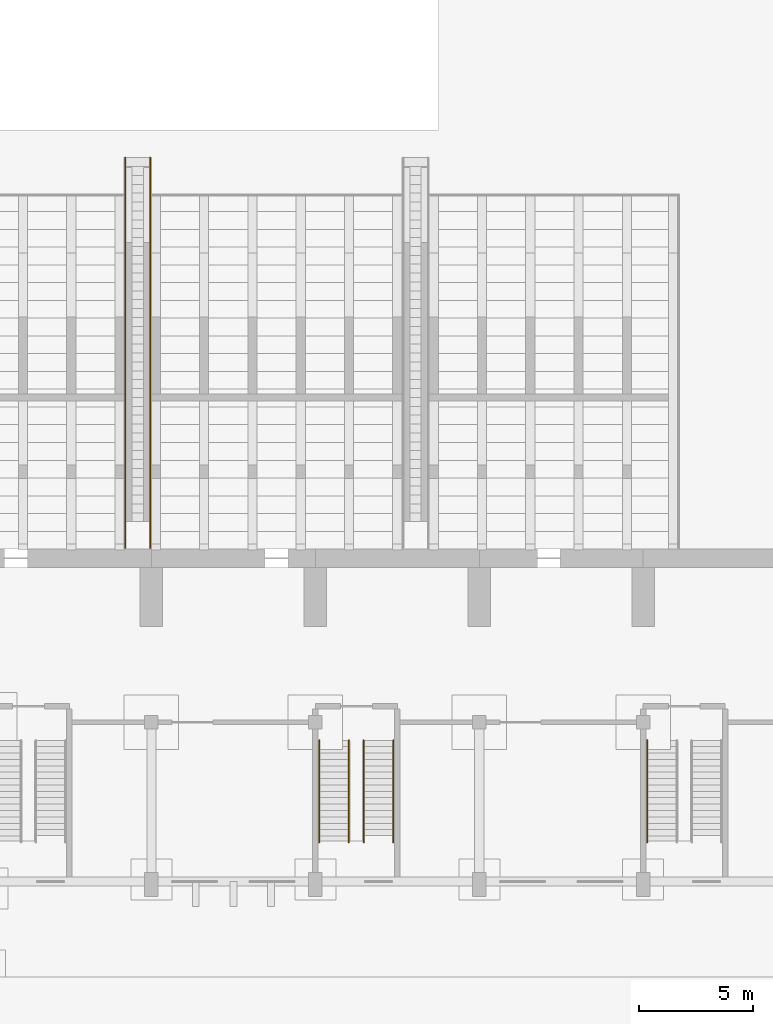
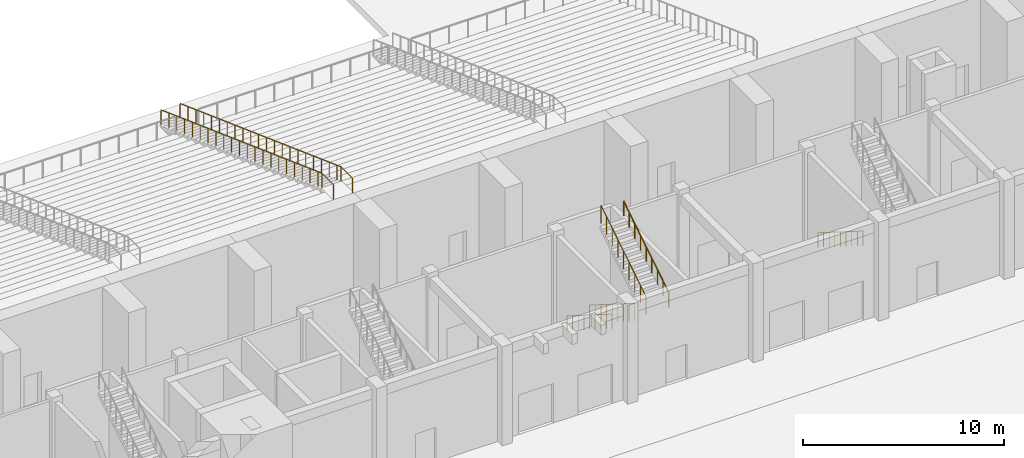
# One storey, part 62 of 70: 7 railings.
"""IFC4 building model written with IfcOpenShell, lengths in metres."""

from ifc_helpers import new_model, si_unit, direction, frame, origin, origin_2d, place, context, subcontext, project, spatial, circle, extrude, material, type_object, element, save


model = new_model("IFC4")

# Units and contexts
model_context = context("Model", 3, precision=1e-05, world=origin(), true_north=direction((0.0, 1.0)))
body_context = subcontext(model_context, "Body", "Model", "MODEL_VIEW")
ifc_project = project(units=[si_unit("LENGTHUNIT", "METRE"), si_unit("AREAUNIT", "SQUARE_METRE"), si_unit("VOLUMEUNIT", "CUBIC_METRE"), si_unit("PLANEANGLEUNIT", "RADIAN"), si_unit("MASSUNIT", "GRAM", prefix="KILO")], contexts=[model_context])

# Site, building, storey
site_placement = place(None, origin())
site = spatial("IfcSite", under=ifc_project, at=site_placement, CompositionType="ELEMENT")
building_placement = place(site_placement, origin())
building = spatial("IfcBuilding", under=site, at=building_placement, Name="Vermilion Court Aquatics Centre", CompositionType="ELEMENT")
storey_placement = place(building_placement, origin())
storey = spatial("IfcBuildingStorey", under=building, at=storey_placement, Name="L00", CompositionType="ELEMENT", Elevation=0.0)

# Railings
ifc_material_1 = material(Name="Steel ASTM A992 Grade 50", Category="steel")
railing_type_1 = type_object("IfcRailingType", Name="South stair guard 1100", PredefinedType="GUARDRAIL", material=ifc_material_1)
railing_1_placement = place(storey_placement, frame((95.074951171875, 6.39990234375, 0.176513671875)))
element("IfcRailing", 1, at=railing_1_placement, inside=storey, type_object=railing_type_1, Name="Stair guard S5.1E", PredefinedType="GUARDRAIL", context=body_context, shape_type="SweptSolid", body=[
    extrude(circle(Radius=0.02392578125, at=origin_2d()), frame((0.0, 0.0, 1.076171875), z_axis=(0.0, -0.846023287082, 0.533145944105), x_axis=(1.0, 0.0, 0.0)), (0.0, 0.0, 1.0), 0.66162109375),
    extrude(circle(Radius=0.02392578125, at=origin_2d()), frame((0.0, -0.559814453125, 1.4287109375), z_axis=(0.0, -0.845961766943, 0.533243554926), x_axis=(1.0, 0.0, 0.0)), (0.0, 0.0, 1.0), 0.662109375),
    extrude(circle(Radius=0.02392578125, at=origin_2d()), frame((0.0, -1.119873046875, 1.78173828125), z_axis=(0.0, -0.845961766943, 0.533243554926), x_axis=(1.0, 0.0, 0.0)), (0.0, 0.0, 1.0), 0.662109375),
    extrude(circle(Radius=0.02392578125, at=origin_2d()), frame((0.0, -1.679931640625, 2.134765625), z_axis=(0.0, -0.846128112635, 0.532979565282), x_axis=(1.0, 0.0, 0.0)), (0.0, 0.0, 1.0), 0.661865234375),
    extrude(circle(Radius=0.02392578125, at=origin_2d()), frame((0.0, -2.239990234375, 2.48779296875), z_axis=(0.0, -0.84585685817, 0.533409950682), x_axis=(1.0, 0.0, 0.0)), (0.0, 0.0, 1.0), 0.661865234375),
    extrude(circle(Radius=0.02392578125, at=origin_2d()), frame((0.0, -2.7998046875, 2.8408203125), z_axis=(0.0, -0.845961766943, 0.533243554926), x_axis=(1.0, 0.0, 0.0)), (0.0, 0.0, 1.0), 0.662109375),
    extrude(circle(Radius=0.02392578125, at=origin_2d()), frame((0.0, -3.35986328125, 3.19384765625), z_axis=(0.0, -0.846128112635, 0.532979565282), x_axis=(1.0, 0.0, 0.0)), (0.0, 0.0, 1.0), 0.661865234375),
    extrude(circle(Radius=0.02392578125, at=origin_2d()), frame((0.0, -3.919921875, 3.54638671875), z_axis=(0.0, -0.845961766943, 0.533243554926), x_axis=(1.0, 0.0, 0.0)), (0.0, 0.0, 1.0), 0.662109375),
    extrude(circle(Radius=0.02099609375, at=origin_2d()), origin(), (0.0, 0.0, 1.0), 1.052001953125),
    extrude(circle(Radius=0.02099609375, at=origin_2d()), frame((0.0, -0.559814453125, 0.352783203125)), (0.0, 0.0, 1.0), 1.052001953125),
    extrude(circle(Radius=0.02099609375, at=origin_2d()), frame((0.0, -1.119873046875, 0.705810546875)), (0.0, 0.0, 1.0), 1.052001953125),
    extrude(circle(Radius=0.02099609375, at=origin_2d()), frame((0.0, -1.679931640625, 1.058837890625)), (0.0, 0.0, 1.0), 1.052001953125),
    extrude(circle(Radius=0.02099609375, at=origin_2d()), frame((0.0, -2.239990234375, 1.41162109375)), (0.0, 0.0, 1.0), 1.052001953125),
    extrude(circle(Radius=0.02099609375, at=origin_2d()), frame((0.0, -2.7998046875, 1.7646484375)), (0.0, 0.0, 1.0), 1.052001953125),
    extrude(circle(Radius=0.02099609375, at=origin_2d()), frame((0.0, -3.35986328125, 2.11767578125)), (0.0, 0.0, 1.0), 1.052001953125),
    extrude(circle(Radius=0.02099609375, at=origin_2d()), frame((0.0, -3.919921875, 2.470458984375)), (0.0, 0.0, 1.0), 1.052001953125),
    extrude(circle(Radius=0.02099609375, at=origin_2d()), frame((0.0, -4.47998046875, 2.823486328125)), (0.0, 0.0, 1.0), 1.052001953125),
])
railing_2_placement = place(storey_placement, frame((95.72509765625, 1.919921875, 3.176513671875)))
element("IfcRailing", 2, at=railing_2_placement, inside=storey, type_object=railing_type_1, Name="Stair guard S5.2W", PredefinedType="GUARDRAIL", context=body_context, shape_type="SweptSolid", body=[
    extrude(circle(Radius=0.02392578125, at=origin_2d()), frame((0.0, 0.0, 1.076171875), z_axis=(0.0, 0.846128112635, 0.532979565282), x_axis=(-1.0, 0.0, 0.0)), (0.0, 0.0, 1.0), 0.661865234375),
    extrude(circle(Radius=0.02392578125, at=origin_2d()), frame((0.0, 0.56005859375, 1.4287109375), z_axis=(0.0, 0.845961766943, 0.533243554926), x_axis=(-1.0, 0.0, 0.0)), (0.0, 0.0, 1.0), 0.662109375),
    extrude(circle(Radius=0.02392578125, at=origin_2d()), frame((0.0, 1.1201171875, 1.78173828125), z_axis=(0.0, 0.845961766943, 0.533243554926), x_axis=(-1.0, 0.0, 0.0)), (0.0, 0.0, 1.0), 0.662109375),
    extrude(circle(Radius=0.02392578125, at=origin_2d()), frame((0.0, 1.68017578125, 2.134765625), z_axis=(0.0, 0.846023287082, 0.533145944105), x_axis=(-1.0, 0.0, 0.0)), (0.0, 0.0, 1.0), 0.66162109375),
    extrude(circle(Radius=0.02392578125, at=origin_2d()), frame((0.0, 2.239990234375, 2.48779296875), z_axis=(0.0, 0.845961766943, 0.533243554926), x_axis=(-1.0, 0.0, 0.0)), (0.0, 0.0, 1.0), 0.662109375),
    extrude(circle(Radius=0.02392578125, at=origin_2d()), frame((0.0, 2.800048828125, 2.8408203125), z_axis=(0.0, 0.845961766943, 0.533243554926), x_axis=(-1.0, 0.0, 0.0)), (0.0, 0.0, 1.0), 0.662109375),
    extrude(circle(Radius=0.02392578125, at=origin_2d()), frame((0.0, 3.360107421875, 3.19384765625), z_axis=(0.0, 0.846128112635, 0.532979565282), x_axis=(-1.0, 0.0, 0.0)), (0.0, 0.0, 1.0), 0.661865234375),
    extrude(circle(Radius=0.02392578125, at=origin_2d()), frame((0.0, 3.920166015625, 3.54638671875), z_axis=(0.0, 0.84585685817, 0.533409950682), x_axis=(-1.0, 0.0, 0.0)), (0.0, 0.0, 1.0), 0.661865234375),
    extrude(circle(Radius=0.02099609375, at=origin_2d()), origin(), (0.0, 0.0, 1.0), 1.052001953125),
    extrude(circle(Radius=0.02099609375, at=origin_2d()), frame((0.0, 0.56005859375, 0.352783203125)), (0.0, 0.0, 1.0), 1.052001953125),
    extrude(circle(Radius=0.02099609375, at=origin_2d()), frame((0.0, 1.1201171875, 0.705810546875)), (0.0, 0.0, 1.0), 1.052001953125),
    extrude(circle(Radius=0.02099609375, at=origin_2d()), frame((0.0, 1.68017578125, 1.058837890625)), (0.0, 0.0, 1.0), 1.052001953125),
    extrude(circle(Radius=0.02099609375, at=origin_2d()), frame((0.0, 2.239990234375, 1.41162109375)), (0.0, 0.0, 1.0), 1.052001953125),
    extrude(circle(Radius=0.02099609375, at=origin_2d()), frame((0.0, 2.800048828125, 1.7646484375)), (0.0, 0.0, 1.0), 1.052001953125),
    extrude(circle(Radius=0.02099609375, at=origin_2d()), frame((0.0, 3.360107421875, 2.11767578125)), (0.0, 0.0, 1.0), 1.052001953125),
    extrude(circle(Radius=0.02099609375, at=origin_2d()), frame((0.0, 3.920166015625, 2.470458984375)), (0.0, 0.0, 1.0), 1.052001953125),
    extrude(circle(Radius=0.02099609375, at=origin_2d()), frame((0.0, 4.47998046875, 2.823486328125)), (0.0, 0.0, 1.0), 1.052001953125),
])
ifc_material_2 = material(Name="Steel ASTM A992 Grade 50", Category="steel")
railing_type_2 = type_object("IfcRailingType", Name="South stair handrail 900", PredefinedType="HANDRAIL", material=ifc_material_2)
railing_3_placement = place(storey_placement, frame((93.77490234375, 6.39990234375, 0.176513671875)))
element("IfcRailing", 3, at=railing_3_placement, inside=storey, type_object=railing_type_2, Name="Stair handrail S5.1W", PredefinedType="HANDRAIL", context=body_context, shape_type="SweptSolid", body=[
    extrude(circle(Radius=0.02392578125, at=origin_2d()), frame((0.0, 0.0, 0.8759765625), z_axis=(0.0, -0.846023287082, 0.533145944105), x_axis=(1.0, 0.0, 0.0)), (0.0, 0.0, 1.0), 0.66162109375),
    extrude(circle(Radius=0.02392578125, at=origin_2d()), frame((0.0, -0.559814453125, 1.228515625), z_axis=(0.0, -0.845961766943, 0.533243554926), x_axis=(1.0, 0.0, 0.0)), (0.0, 0.0, 1.0), 0.662109375),
    extrude(circle(Radius=0.02392578125, at=origin_2d()), frame((0.0, -1.119873046875, 1.58154296875), z_axis=(0.0, -0.845961766943, 0.533243554926), x_axis=(1.0, 0.0, 0.0)), (0.0, 0.0, 1.0), 0.662109375),
    extrude(circle(Radius=0.02392578125, at=origin_2d()), frame((0.0, -1.679931640625, 1.9345703125), z_axis=(0.0, -0.846128112635, 0.532979565282), x_axis=(1.0, 0.0, 0.0)), (0.0, 0.0, 1.0), 0.661865234375),
    extrude(circle(Radius=0.02392578125, at=origin_2d()), frame((0.0, -2.239990234375, 2.28759765625), z_axis=(0.0, -0.84585685817, 0.533409950682), x_axis=(1.0, 0.0, 0.0)), (0.0, 0.0, 1.0), 0.661865234375),
    extrude(circle(Radius=0.02392578125, at=origin_2d()), frame((0.0, -2.7998046875, 2.640625), z_axis=(0.0, -0.845961766943, 0.533243554926), x_axis=(1.0, 0.0, 0.0)), (0.0, 0.0, 1.0), 0.662109375),
    extrude(circle(Radius=0.02392578125, at=origin_2d()), frame((0.0, -3.35986328125, 2.99365234375), z_axis=(0.0, -0.846128112635, 0.532979565282), x_axis=(1.0, 0.0, 0.0)), (0.0, 0.0, 1.0), 0.661865234375),
    extrude(circle(Radius=0.02392578125, at=origin_2d()), frame((0.0, -3.919921875, 3.34619140625), z_axis=(0.0, -0.845961766943, 0.533243554926), x_axis=(1.0, 0.0, 0.0)), (0.0, 0.0, 1.0), 0.662109375),
    extrude(circle(Radius=0.02099609375, at=origin_2d()), origin(), (0.0, 0.0, 1.0), 0.851806640625),
    extrude(circle(Radius=0.02099609375, at=origin_2d()), frame((0.0, -0.559814453125, 0.352783203125)), (0.0, 0.0, 1.0), 0.851806640625),
    extrude(circle(Radius=0.02099609375, at=origin_2d()), frame((0.0, -1.119873046875, 0.705810546875)), (0.0, 0.0, 1.0), 0.851806640625),
    extrude(circle(Radius=0.02099609375, at=origin_2d()), frame((0.0, -1.679931640625, 1.058837890625)), (0.0, 0.0, 1.0), 0.851806640625),
    extrude(circle(Radius=0.02099609375, at=origin_2d()), frame((0.0, -2.239990234375, 1.41162109375)), (0.0, 0.0, 1.0), 0.851806640625),
    extrude(circle(Radius=0.02099609375, at=origin_2d()), frame((0.0, -2.7998046875, 1.7646484375)), (0.0, 0.0, 1.0), 0.851806640625),
    extrude(circle(Radius=0.02099609375, at=origin_2d()), frame((0.0, -3.35986328125, 2.11767578125)), (0.0, 0.0, 1.0), 0.851806640625),
    extrude(circle(Radius=0.02099609375, at=origin_2d()), frame((0.0, -3.919921875, 2.470458984375)), (0.0, 0.0, 1.0), 0.851806640625),
    extrude(circle(Radius=0.02099609375, at=origin_2d()), frame((0.0, -4.47998046875, 2.823486328125)), (0.0, 0.0, 1.0), 0.851806640625),
])
railing_4_placement = place(storey_placement, frame((97.02490234375, 1.919921875, 3.176513671875)))
element("IfcRailing", 4, at=railing_4_placement, inside=storey, type_object=railing_type_2, Name="Stair handrail S5.2E", PredefinedType="HANDRAIL", context=body_context, shape_type="SweptSolid", body=[
    extrude(circle(Radius=0.02392578125, at=origin_2d()), frame((0.0, 0.0, 0.8759765625), z_axis=(0.0, 0.846128112635, 0.532979565282), x_axis=(-1.0, 0.0, 0.0)), (0.0, 0.0, 1.0), 0.661865234375),
    extrude(circle(Radius=0.02392578125, at=origin_2d()), frame((0.0, 0.56005859375, 1.228515625), z_axis=(0.0, 0.845961766943, 0.533243554926), x_axis=(-1.0, 0.0, 0.0)), (0.0, 0.0, 1.0), 0.662109375),
    extrude(circle(Radius=0.02392578125, at=origin_2d()), frame((0.0, 1.1201171875, 1.58154296875), z_axis=(0.0, 0.845961766943, 0.533243554926), x_axis=(-1.0, 0.0, 0.0)), (0.0, 0.0, 1.0), 0.662109375),
    extrude(circle(Radius=0.02392578125, at=origin_2d()), frame((0.0, 1.68017578125, 1.9345703125), z_axis=(0.0, 0.846023287082, 0.533145944105), x_axis=(-1.0, 0.0, 0.0)), (0.0, 0.0, 1.0), 0.66162109375),
    extrude(circle(Radius=0.02392578125, at=origin_2d()), frame((0.0, 2.239990234375, 2.28759765625), z_axis=(0.0, 0.845961766943, 0.533243554926), x_axis=(-1.0, 0.0, 0.0)), (0.0, 0.0, 1.0), 0.662109375),
    extrude(circle(Radius=0.02392578125, at=origin_2d()), frame((0.0, 2.800048828125, 2.640625), z_axis=(0.0, 0.845961766943, 0.533243554926), x_axis=(-1.0, 0.0, 0.0)), (0.0, 0.0, 1.0), 0.662109375),
    extrude(circle(Radius=0.02392578125, at=origin_2d()), frame((0.0, 3.360107421875, 2.99365234375), z_axis=(0.0, 0.846128112635, 0.532979565282), x_axis=(-1.0, 0.0, 0.0)), (0.0, 0.0, 1.0), 0.661865234375),
    extrude(circle(Radius=0.02392578125, at=origin_2d()), frame((0.0, 3.920166015625, 3.34619140625), z_axis=(0.0, 0.84585685817, 0.533409950682), x_axis=(-1.0, 0.0, 0.0)), (0.0, 0.0, 1.0), 0.661865234375),
    extrude(circle(Radius=0.02099609375, at=origin_2d()), origin(), (0.0, 0.0, 1.0), 0.851806640625),
    extrude(circle(Radius=0.02099609375, at=origin_2d()), frame((0.0, 0.56005859375, 0.352783203125)), (0.0, 0.0, 1.0), 0.851806640625),
    extrude(circle(Radius=0.02099609375, at=origin_2d()), frame((0.0, 1.1201171875, 0.705810546875)), (0.0, 0.0, 1.0), 0.851806640625),
    extrude(circle(Radius=0.02099609375, at=origin_2d()), frame((0.0, 1.68017578125, 1.058837890625)), (0.0, 0.0, 1.0), 0.851806640625),
    extrude(circle(Radius=0.02099609375, at=origin_2d()), frame((0.0, 2.239990234375, 1.41162109375)), (0.0, 0.0, 1.0), 0.851806640625),
    extrude(circle(Radius=0.02099609375, at=origin_2d()), frame((0.0, 2.800048828125, 1.7646484375)), (0.0, 0.0, 1.0), 0.851806640625),
    extrude(circle(Radius=0.02099609375, at=origin_2d()), frame((0.0, 3.360107421875, 2.11767578125)), (0.0, 0.0, 1.0), 0.851806640625),
    extrude(circle(Radius=0.02099609375, at=origin_2d()), frame((0.0, 3.920166015625, 2.470458984375)), (0.0, 0.0, 1.0), 0.851806640625),
    extrude(circle(Radius=0.02099609375, at=origin_2d()), frame((0.0, 4.47998046875, 2.823486328125)), (0.0, 0.0, 1.0), 0.851806640625),
])
railing_5_placement = place(storey_placement, frame((108.175048828125, 6.39990234375, 0.176513671875)))
element("IfcRailing", 5, at=railing_5_placement, inside=storey, type_object=railing_type_2, Name="Stair handrail S6.1W", PredefinedType="HANDRAIL", context=body_context, shape_type="SweptSolid", body=[
    extrude(circle(Radius=0.02392578125, at=origin_2d()), frame((0.0, 0.0, 0.8759765625), z_axis=(0.0, -0.846023287082, 0.533145944105), x_axis=(1.0, 0.0, 0.0)), (0.0, 0.0, 1.0), 0.66162109375),
    extrude(circle(Radius=0.02392578125, at=origin_2d()), frame((0.0, -0.559814453125, 1.228515625), z_axis=(0.0, -0.845961766943, 0.533243554926), x_axis=(1.0, 0.0, 0.0)), (0.0, 0.0, 1.0), 0.662109375),
    extrude(circle(Radius=0.02392578125, at=origin_2d()), frame((0.0, -1.119873046875, 1.58154296875), z_axis=(0.0, -0.845961766943, 0.533243554926), x_axis=(1.0, 0.0, 0.0)), (0.0, 0.0, 1.0), 0.662109375),
    extrude(circle(Radius=0.02392578125, at=origin_2d()), frame((0.0, -1.679931640625, 1.9345703125), z_axis=(0.0, -0.846128112635, 0.532979565282), x_axis=(1.0, 0.0, 0.0)), (0.0, 0.0, 1.0), 0.661865234375),
    extrude(circle(Radius=0.02392578125, at=origin_2d()), frame((0.0, -2.239990234375, 2.28759765625), z_axis=(0.0, -0.84585685817, 0.533409950682), x_axis=(1.0, 0.0, 0.0)), (0.0, 0.0, 1.0), 0.661865234375),
    extrude(circle(Radius=0.02392578125, at=origin_2d()), frame((0.0, -2.7998046875, 2.640625), z_axis=(0.0, -0.845961766943, 0.533243554926), x_axis=(1.0, 0.0, 0.0)), (0.0, 0.0, 1.0), 0.662109375),
    extrude(circle(Radius=0.02392578125, at=origin_2d()), frame((0.0, -3.35986328125, 2.99365234375), z_axis=(0.0, -0.846128112635, 0.532979565282), x_axis=(1.0, 0.0, 0.0)), (0.0, 0.0, 1.0), 0.661865234375),
    extrude(circle(Radius=0.02392578125, at=origin_2d()), frame((0.0, -3.919921875, 3.34619140625), z_axis=(0.0, -0.845961766943, 0.533243554926), x_axis=(1.0, 0.0, 0.0)), (0.0, 0.0, 1.0), 0.662109375),
    extrude(circle(Radius=0.02099609375, at=origin_2d()), origin(), (0.0, 0.0, 1.0), 0.851806640625),
    extrude(circle(Radius=0.02099609375, at=origin_2d()), frame((0.0, -0.559814453125, 0.352783203125)), (0.0, 0.0, 1.0), 0.851806640625),
    extrude(circle(Radius=0.02099609375, at=origin_2d()), frame((0.0, -1.119873046875, 0.705810546875)), (0.0, 0.0, 1.0), 0.851806640625),
    extrude(circle(Radius=0.02099609375, at=origin_2d()), frame((0.0, -1.679931640625, 1.058837890625)), (0.0, 0.0, 1.0), 0.851806640625),
    extrude(circle(Radius=0.02099609375, at=origin_2d()), frame((0.0, -2.239990234375, 1.41162109375)), (0.0, 0.0, 1.0), 0.851806640625),
    extrude(circle(Radius=0.02099609375, at=origin_2d()), frame((0.0, -2.7998046875, 1.7646484375)), (0.0, 0.0, 1.0), 0.851806640625),
    extrude(circle(Radius=0.02099609375, at=origin_2d()), frame((0.0, -3.35986328125, 2.11767578125)), (0.0, 0.0, 1.0), 0.851806640625),
    extrude(circle(Radius=0.02099609375, at=origin_2d()), frame((0.0, -3.919921875, 2.470458984375)), (0.0, 0.0, 1.0), 0.851806640625),
    extrude(circle(Radius=0.02099609375, at=origin_2d()), frame((0.0, -4.47998046875, 2.823486328125)), (0.0, 0.0, 1.0), 0.851806640625),
])
ifc_material_3 = material(Name="Steel ASTM A992 Grade 50", Category="steel")
railing_type_3 = type_object("IfcRailingType", Name="Tribune aisle stair handrail 900", PredefinedType="HANDRAIL", material=ifc_material_3)
railing_6_placement = place(storey_placement, frame((85.25, 31.989990234375, 0.142822265625)))
element("IfcRailing", 6, at=railing_6_placement, inside=storey, type_object=railing_type_3, Name="Aisle stair handrail 4W", PredefinedType="HANDRAIL", context=body_context, shape_type="SweptSolid", body=[
    extrude(circle(Radius=0.02392578125, at=origin_2d()), frame((0.0, 0.0, 0.8759765625), z_axis=(0.0, -0.939018724958, 0.343866011956), x_axis=(1.0, 0.0, 0.0)), (0.0, 0.0, 1.0), 0.83056640625),
    extrude(circle(Radius=0.02392578125, at=origin_2d()), frame((0.0, -0.780029296875, 1.16162109375), z_axis=(0.0, -0.938923798649, 0.344125123073), x_axis=(1.0, 0.0, 0.0)), (0.0, 0.0, 1.0), 0.830810546875),
    extrude(circle(Radius=0.02392578125, at=origin_2d()), frame((0.0, -1.56005859375, 1.447265625), z_axis=(0.0, -0.939018724958, 0.343866011956), x_axis=(1.0, 0.0, 0.0)), (0.0, 0.0, 1.0), 0.83056640625),
    extrude(circle(Radius=0.02392578125, at=origin_2d()), frame((0.0, -2.340087890625, 1.73291015625), z_axis=(0.0, -0.938983958399, 0.343960936546), x_axis=(1.0, 0.0, 0.0)), (0.0, 0.0, 1.0), 0.83056640625),
    extrude(circle(Radius=0.02392578125, at=origin_2d()), frame((0.0, -3.119873046875, 2.0185546875), z_axis=(0.0, -0.938923798649, 0.344125123073), x_axis=(1.0, 0.0, 0.0)), (0.0, 0.0, 1.0), 0.830810546875),
    extrude(circle(Radius=0.02392578125, at=origin_2d()), frame((0.0, -3.89990234375, 2.3046875), z_axis=(0.0, -0.939018724958, 0.343866011956), x_axis=(1.0, 0.0, 0.0)), (0.0, 0.0, 1.0), 0.83056640625),
    extrude(circle(Radius=0.02392578125, at=origin_2d()), frame((0.0, -4.679931640625, 2.59033203125), z_axis=(0.0, -0.939018724958, 0.343866011956), x_axis=(1.0, 0.0, 0.0)), (0.0, 0.0, 1.0), 0.83056640625),
    extrude(circle(Radius=0.02392578125, at=origin_2d()), frame((0.0, -5.4599609375, 2.8759765625), z_axis=(0.0, -0.939018724958, 0.343866011956), x_axis=(1.0, 0.0, 0.0)), (0.0, 0.0, 1.0), 0.83056640625),
    extrude(circle(Radius=0.02392578125, at=origin_2d()), frame((0.0, -6.239990234375, 3.16162109375), z_axis=(0.0, -0.938923798649, 0.344125123073), x_axis=(1.0, 0.0, 0.0)), (0.0, 0.0, 1.0), 0.830810546875),
    extrude(circle(Radius=0.02392578125, at=origin_2d()), frame((0.0, -7.02001953125, 3.447265625), z_axis=(0.0, -0.939018724958, 0.343866011956), x_axis=(1.0, 0.0, 0.0)), (0.0, 0.0, 1.0), 0.83056640625),
    extrude(circle(Radius=0.02392578125, at=origin_2d()), frame((0.0, -7.800048828125, 3.73291015625), z_axis=(0.0, -0.939018724958, 0.343866011956), x_axis=(1.0, 0.0, 0.0)), (0.0, 0.0, 1.0), 0.83056640625),
    extrude(circle(Radius=0.02392578125, at=origin_2d()), frame((0.0, -8.580078125, 4.0185546875), z_axis=(0.0, -0.938923798649, 0.344125123073), x_axis=(1.0, 0.0, 0.0)), (0.0, 0.0, 1.0), 0.830810546875),
    extrude(circle(Radius=0.02392578125, at=origin_2d()), frame((0.0, -9.360107421875, 4.3046875), z_axis=(0.0, -0.938983958399, 0.343960936546), x_axis=(1.0, 0.0, 0.0)), (0.0, 0.0, 1.0), 0.83056640625),
    extrude(circle(Radius=0.02392578125, at=origin_2d()), frame((0.0, -10.139892578125, 4.59033203125), z_axis=(0.0, -0.939018724958, 0.343866011956), x_axis=(1.0, 0.0, 0.0)), (0.0, 0.0, 1.0), 0.83056640625),
    extrude(circle(Radius=0.02392578125, at=origin_2d()), frame((0.0, -10.919921875, 4.8759765625), z_axis=(0.0, -0.939018724958, 0.343866011956), x_axis=(1.0, 0.0, 0.0)), (0.0, 0.0, 1.0), 0.83056640625),
    extrude(circle(Radius=0.02392578125, at=origin_2d()), frame((0.0, -11.699951171875, 5.16162109375), z_axis=(0.0, -0.938923798649, 0.344125123073), x_axis=(1.0, 0.0, 0.0)), (0.0, 0.0, 1.0), 0.830810546875),
    extrude(circle(Radius=0.02392578125, at=origin_2d()), frame((0.0, -12.47998046875, 5.447265625), z_axis=(0.0, -0.939018724958, 0.343866011956), x_axis=(1.0, 0.0, 0.0)), (0.0, 0.0, 1.0), 0.83056640625),
    extrude(circle(Radius=0.02392578125, at=origin_2d()), frame((0.0, -13.260009765625, 5.73291015625), z_axis=(0.0, -0.939018724958, 0.343866011956), x_axis=(1.0, 0.0, 0.0)), (0.0, 0.0, 1.0), 0.83056640625),
    extrude(circle(Radius=0.02392578125, at=origin_2d()), frame((0.0, -14.0400390625, 6.0185546875), z_axis=(0.0, -0.938923798649, 0.344125123073), x_axis=(1.0, 0.0, 0.0)), (0.0, 0.0, 1.0), 0.830810546875),
    extrude(circle(Radius=0.02392578125, at=origin_2d()), frame((0.0, -14.820068359375, 6.3046875), z_axis=(0.0, -0.939018724958, 0.343866011956), x_axis=(1.0, 0.0, 0.0)), (0.0, 0.0, 1.0), 0.83056640625),
    extrude(circle(Radius=0.02392578125, at=origin_2d()), frame((0.0, -15.60009765625, 6.59033203125), z_axis=(0.0, -0.938983958399, 0.343960936546), x_axis=(1.0, 0.0, 0.0)), (0.0, 0.0, 1.0), 0.415283203125),
    extrude(circle(Radius=0.02392578125, at=origin_2d()), frame((0.0, -15.989990234375, 6.73291015625), z_axis=(0.0, -1.0, 0.0), x_axis=(1.0, 0.0, 0.0)), (0.0, 0.0, 1.0), 1.14990234375),
    extrude(circle(Radius=0.02099609375, at=origin_2d()), origin(), (0.0, 0.0, 1.0), 0.851806640625),
    extrude(circle(Radius=0.02099609375, at=origin_2d()), frame((0.0, -0.780029296875, 0.28564453125)), (0.0, 0.0, 1.0), 0.851806640625),
    extrude(circle(Radius=0.02099609375, at=origin_2d()), frame((0.0, -1.56005859375, 0.571533203125)), (0.0, 0.0, 1.0), 0.851806640625),
    extrude(circle(Radius=0.02099609375, at=origin_2d()), frame((0.0, -2.340087890625, 0.857177734375)), (0.0, 0.0, 1.0), 0.851806640625),
    extrude(circle(Radius=0.02099609375, at=origin_2d()), frame((0.0, -3.119873046875, 1.142822265625)), (0.0, 0.0, 1.0), 0.851806640625),
    extrude(circle(Radius=0.02099609375, at=origin_2d()), frame((0.0, -3.89990234375, 1.4287109375)), (0.0, 0.0, 1.0), 0.851806640625),
    extrude(circle(Radius=0.02099609375, at=origin_2d()), frame((0.0, -4.679931640625, 1.71435546875)), (0.0, 0.0, 1.0), 0.851806640625),
    extrude(circle(Radius=0.02099609375, at=origin_2d()), frame((0.0, -5.4599609375, 2.0)), (0.0, 0.0, 1.0), 0.851806640625),
    extrude(circle(Radius=0.02099609375, at=origin_2d()), frame((0.0, -6.239990234375, 2.28564453125)), (0.0, 0.0, 1.0), 0.851806640625),
    extrude(circle(Radius=0.02099609375, at=origin_2d()), frame((0.0, -7.02001953125, 2.571533203125)), (0.0, 0.0, 1.0), 0.851806640625),
    extrude(circle(Radius=0.02099609375, at=origin_2d()), frame((0.0, -7.800048828125, 2.857177734375)), (0.0, 0.0, 1.0), 0.851806640625),
    extrude(circle(Radius=0.02099609375, at=origin_2d()), frame((0.0, -8.580078125, 3.142822265625)), (0.0, 0.0, 1.0), 0.851806640625),
    extrude(circle(Radius=0.02099609375, at=origin_2d()), frame((0.0, -9.360107421875, 3.4287109375)), (0.0, 0.0, 1.0), 0.851806640625),
    extrude(circle(Radius=0.02099609375, at=origin_2d()), frame((0.0, -10.139892578125, 3.71435546875)), (0.0, 0.0, 1.0), 0.851806640625),
    extrude(circle(Radius=0.02099609375, at=origin_2d()), frame((0.0, -10.919921875, 4.0)), (0.0, 0.0, 1.0), 0.851806640625),
    extrude(circle(Radius=0.02099609375, at=origin_2d()), frame((0.0, -11.699951171875, 4.28564453125)), (0.0, 0.0, 1.0), 0.851806640625),
    extrude(circle(Radius=0.02099609375, at=origin_2d()), frame((0.0, -12.47998046875, 4.571533203125)), (0.0, 0.0, 1.0), 0.851806640625),
    extrude(circle(Radius=0.02099609375, at=origin_2d()), frame((0.0, -13.260009765625, 4.857177734375)), (0.0, 0.0, 1.0), 0.851806640625),
    extrude(circle(Radius=0.02099609375, at=origin_2d()), frame((0.0, -14.0400390625, 5.142822265625)), (0.0, 0.0, 1.0), 0.851806640625),
    extrude(circle(Radius=0.02099609375, at=origin_2d()), frame((0.0, -14.820068359375, 5.4287109375)), (0.0, 0.0, 1.0), 0.851806640625),
    extrude(circle(Radius=0.02099609375, at=origin_2d()), frame((0.0, -15.60009765625, 5.71435546875)), (0.0, 0.0, 1.0), 0.851806640625),
    extrude(circle(Radius=0.02099609375, at=origin_2d()), frame((0.0, -15.989990234375, 5.857177734375)), (0.0, 0.0, 1.0), 0.851806640625),
    extrude(circle(Radius=0.02099609375, at=origin_2d()), frame((0.0, -17.139892578125, 5.857177734375)), (0.0, 0.0, 1.0), 0.851806640625),
])
railing_7_placement = place(storey_placement, frame((86.35009765625, 31.989990234375, 0.142822265625)))
element("IfcRailing", 7, at=railing_7_placement, inside=storey, type_object=railing_type_3, Name="Aisle stair handrail 4E", PredefinedType="HANDRAIL", context=body_context, shape_type="SweptSolid", body=[
    extrude(circle(Radius=0.02392578125, at=origin_2d()), frame((0.0, 0.0, 0.8759765625), z_axis=(0.0, -0.939018724958, 0.343866011956), x_axis=(1.0, 0.0, 0.0)), (0.0, 0.0, 1.0), 0.83056640625),
    extrude(circle(Radius=0.02392578125, at=origin_2d()), frame((0.0, -0.780029296875, 1.16162109375), z_axis=(0.0, -0.938923798649, 0.344125123073), x_axis=(1.0, 0.0, 0.0)), (0.0, 0.0, 1.0), 0.830810546875),
    extrude(circle(Radius=0.02392578125, at=origin_2d()), frame((0.0, -1.56005859375, 1.447265625), z_axis=(0.0, -0.939018724958, 0.343866011956), x_axis=(1.0, 0.0, 0.0)), (0.0, 0.0, 1.0), 0.83056640625),
    extrude(circle(Radius=0.02392578125, at=origin_2d()), frame((0.0, -2.340087890625, 1.73291015625), z_axis=(0.0, -0.938983958399, 0.343960936546), x_axis=(1.0, 0.0, 0.0)), (0.0, 0.0, 1.0), 0.83056640625),
    extrude(circle(Radius=0.02392578125, at=origin_2d()), frame((0.0, -3.119873046875, 2.0185546875), z_axis=(0.0, -0.938923798649, 0.344125123073), x_axis=(1.0, 0.0, 0.0)), (0.0, 0.0, 1.0), 0.830810546875),
    extrude(circle(Radius=0.02392578125, at=origin_2d()), frame((0.0, -3.89990234375, 2.3046875), z_axis=(0.0, -0.939018724958, 0.343866011956), x_axis=(1.0, 0.0, 0.0)), (0.0, 0.0, 1.0), 0.83056640625),
    extrude(circle(Radius=0.02392578125, at=origin_2d()), frame((0.0, -4.679931640625, 2.59033203125), z_axis=(0.0, -0.939018724958, 0.343866011956), x_axis=(1.0, 0.0, 0.0)), (0.0, 0.0, 1.0), 0.83056640625),
    extrude(circle(Radius=0.02392578125, at=origin_2d()), frame((0.0, -5.4599609375, 2.8759765625), z_axis=(0.0, -0.939018724958, 0.343866011956), x_axis=(1.0, 0.0, 0.0)), (0.0, 0.0, 1.0), 0.83056640625),
    extrude(circle(Radius=0.02392578125, at=origin_2d()), frame((0.0, -6.239990234375, 3.16162109375), z_axis=(0.0, -0.938923798649, 0.344125123073), x_axis=(1.0, 0.0, 0.0)), (0.0, 0.0, 1.0), 0.830810546875),
    extrude(circle(Radius=0.02392578125, at=origin_2d()), frame((0.0, -7.02001953125, 3.447265625), z_axis=(0.0, -0.939018724958, 0.343866011956), x_axis=(1.0, 0.0, 0.0)), (0.0, 0.0, 1.0), 0.83056640625),
    extrude(circle(Radius=0.02392578125, at=origin_2d()), frame((0.0, -7.800048828125, 3.73291015625), z_axis=(0.0, -0.939018724958, 0.343866011956), x_axis=(1.0, 0.0, 0.0)), (0.0, 0.0, 1.0), 0.83056640625),
    extrude(circle(Radius=0.02392578125, at=origin_2d()), frame((0.0, -8.580078125, 4.0185546875), z_axis=(0.0, -0.938923798649, 0.344125123073), x_axis=(1.0, 0.0, 0.0)), (0.0, 0.0, 1.0), 0.830810546875),
    extrude(circle(Radius=0.02392578125, at=origin_2d()), frame((0.0, -9.360107421875, 4.3046875), z_axis=(0.0, -0.938983958399, 0.343960936546), x_axis=(1.0, 0.0, 0.0)), (0.0, 0.0, 1.0), 0.83056640625),
    extrude(circle(Radius=0.02392578125, at=origin_2d()), frame((0.0, -10.139892578125, 4.59033203125), z_axis=(0.0, -0.939018724958, 0.343866011956), x_axis=(1.0, 0.0, 0.0)), (0.0, 0.0, 1.0), 0.83056640625),
    extrude(circle(Radius=0.02392578125, at=origin_2d()), frame((0.0, -10.919921875, 4.8759765625), z_axis=(0.0, -0.939018724958, 0.343866011956), x_axis=(1.0, 0.0, 0.0)), (0.0, 0.0, 1.0), 0.83056640625),
    extrude(circle(Radius=0.02392578125, at=origin_2d()), frame((0.0, -11.699951171875, 5.16162109375), z_axis=(0.0, -0.938923798649, 0.344125123073), x_axis=(1.0, 0.0, 0.0)), (0.0, 0.0, 1.0), 0.830810546875),
    extrude(circle(Radius=0.02392578125, at=origin_2d()), frame((0.0, -12.47998046875, 5.447265625), z_axis=(0.0, -0.939018724958, 0.343866011956), x_axis=(1.0, 0.0, 0.0)), (0.0, 0.0, 1.0), 0.83056640625),
    extrude(circle(Radius=0.02392578125, at=origin_2d()), frame((0.0, -13.260009765625, 5.73291015625), z_axis=(0.0, -0.939018724958, 0.343866011956), x_axis=(1.0, 0.0, 0.0)), (0.0, 0.0, 1.0), 0.83056640625),
    extrude(circle(Radius=0.02392578125, at=origin_2d()), frame((0.0, -14.0400390625, 6.0185546875), z_axis=(0.0, -0.938923798649, 0.344125123073), x_axis=(1.0, 0.0, 0.0)), (0.0, 0.0, 1.0), 0.830810546875),
    extrude(circle(Radius=0.02392578125, at=origin_2d()), frame((0.0, -14.820068359375, 6.3046875), z_axis=(0.0, -0.939018724958, 0.343866011956), x_axis=(1.0, 0.0, 0.0)), (0.0, 0.0, 1.0), 0.83056640625),
    extrude(circle(Radius=0.02392578125, at=origin_2d()), frame((0.0, -15.60009765625, 6.59033203125), z_axis=(0.0, -0.938983958399, 0.343960936546), x_axis=(1.0, 0.0, 0.0)), (0.0, 0.0, 1.0), 0.415283203125),
    extrude(circle(Radius=0.02392578125, at=origin_2d()), frame((0.0, -15.989990234375, 6.73291015625), z_axis=(0.0, -1.0, 0.0), x_axis=(1.0, 0.0, 0.0)), (0.0, 0.0, 1.0), 1.14990234375),
    extrude(circle(Radius=0.02099609375, at=origin_2d()), origin(), (0.0, 0.0, 1.0), 0.851806640625),
    extrude(circle(Radius=0.02099609375, at=origin_2d()), frame((0.0, -0.780029296875, 0.28564453125)), (0.0, 0.0, 1.0), 0.851806640625),
    extrude(circle(Radius=0.02099609375, at=origin_2d()), frame((0.0, -1.56005859375, 0.571533203125)), (0.0, 0.0, 1.0), 0.851806640625),
    extrude(circle(Radius=0.02099609375, at=origin_2d()), frame((0.0, -2.340087890625, 0.857177734375)), (0.0, 0.0, 1.0), 0.851806640625),
    extrude(circle(Radius=0.02099609375, at=origin_2d()), frame((0.0, -3.119873046875, 1.142822265625)), (0.0, 0.0, 1.0), 0.851806640625),
    extrude(circle(Radius=0.02099609375, at=origin_2d()), frame((0.0, -3.89990234375, 1.4287109375)), (0.0, 0.0, 1.0), 0.851806640625),
    extrude(circle(Radius=0.02099609375, at=origin_2d()), frame((0.0, -4.679931640625, 1.71435546875)), (0.0, 0.0, 1.0), 0.851806640625),
    extrude(circle(Radius=0.02099609375, at=origin_2d()), frame((0.0, -5.4599609375, 2.0)), (0.0, 0.0, 1.0), 0.851806640625),
    extrude(circle(Radius=0.02099609375, at=origin_2d()), frame((0.0, -6.239990234375, 2.28564453125)), (0.0, 0.0, 1.0), 0.851806640625),
    extrude(circle(Radius=0.02099609375, at=origin_2d()), frame((0.0, -7.02001953125, 2.571533203125)), (0.0, 0.0, 1.0), 0.851806640625),
    extrude(circle(Radius=0.02099609375, at=origin_2d()), frame((0.0, -7.800048828125, 2.857177734375)), (0.0, 0.0, 1.0), 0.851806640625),
    extrude(circle(Radius=0.02099609375, at=origin_2d()), frame((0.0, -8.580078125, 3.142822265625)), (0.0, 0.0, 1.0), 0.851806640625),
    extrude(circle(Radius=0.02099609375, at=origin_2d()), frame((0.0, -9.360107421875, 3.4287109375)), (0.0, 0.0, 1.0), 0.851806640625),
    extrude(circle(Radius=0.02099609375, at=origin_2d()), frame((0.0, -10.139892578125, 3.71435546875)), (0.0, 0.0, 1.0), 0.851806640625),
    extrude(circle(Radius=0.02099609375, at=origin_2d()), frame((0.0, -10.919921875, 4.0)), (0.0, 0.0, 1.0), 0.851806640625),
    extrude(circle(Radius=0.02099609375, at=origin_2d()), frame((0.0, -11.699951171875, 4.28564453125)), (0.0, 0.0, 1.0), 0.851806640625),
    extrude(circle(Radius=0.02099609375, at=origin_2d()), frame((0.0, -12.47998046875, 4.571533203125)), (0.0, 0.0, 1.0), 0.851806640625),
    extrude(circle(Radius=0.02099609375, at=origin_2d()), frame((0.0, -13.260009765625, 4.857177734375)), (0.0, 0.0, 1.0), 0.851806640625),
    extrude(circle(Radius=0.02099609375, at=origin_2d()), frame((0.0, -14.0400390625, 5.142822265625)), (0.0, 0.0, 1.0), 0.851806640625),
    extrude(circle(Radius=0.02099609375, at=origin_2d()), frame((0.0, -14.820068359375, 5.4287109375)), (0.0, 0.0, 1.0), 0.851806640625),
    extrude(circle(Radius=0.02099609375, at=origin_2d()), frame((0.0, -15.60009765625, 5.71435546875)), (0.0, 0.0, 1.0), 0.851806640625),
    extrude(circle(Radius=0.02099609375, at=origin_2d()), frame((0.0, -15.989990234375, 5.857177734375)), (0.0, 0.0, 1.0), 0.851806640625),
    extrude(circle(Radius=0.02099609375, at=origin_2d()), frame((0.0, -17.139892578125, 5.857177734375)), (0.0, 0.0, 1.0), 0.851806640625),
])

save(model, "model.ifc")
